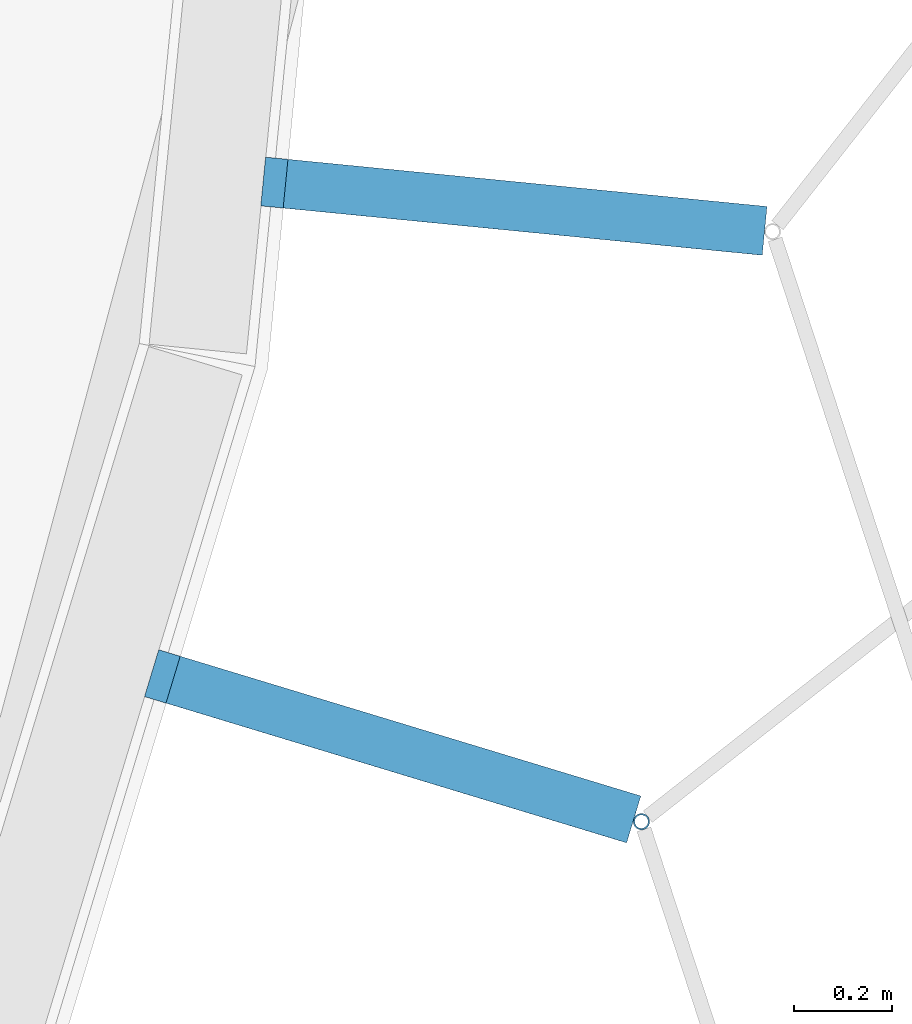
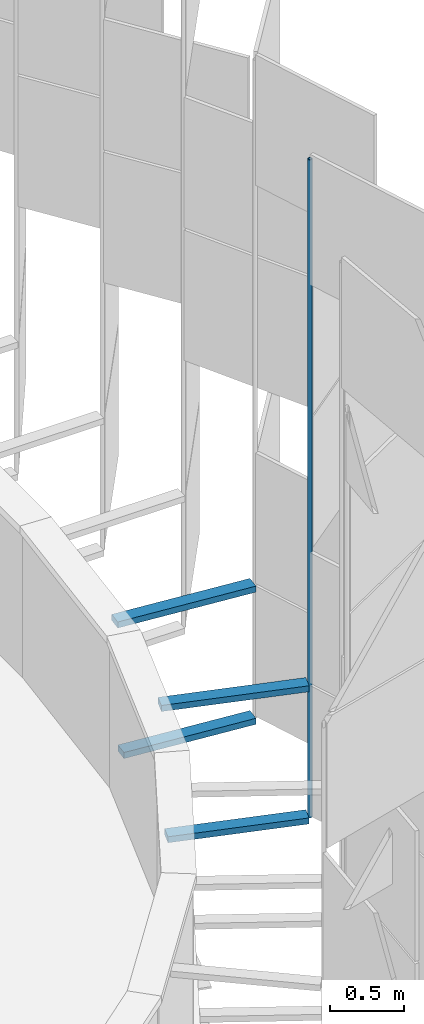
# One storey, part 175 of 483: 5 discrete accessories.
"""IFC4 building model written with IfcOpenShell, lengths in metres."""

from ifc_helpers import new_model, si_unit, direction, frame, origin, origin_2d, place, context, subcontext, project, spatial, rectangle, hollow_circle, extrude, material, material_profile, profile_set, type_object, element, save


model = new_model("IFC4")

# Units and contexts
model_context = context("Model", 3, precision=1e-05, world=origin(), true_north=direction((0.0, 1.0)))
body_context = subcontext(model_context, "Body", "Model", "MODEL_VIEW")
ifc_project = project(units=[si_unit("LENGTHUNIT", "METRE"), si_unit("AREAUNIT", "SQUARE_METRE"), si_unit("VOLUMEUNIT", "CUBIC_METRE"), si_unit("PLANEANGLEUNIT", "RADIAN"), si_unit("MASSUNIT", "GRAM", prefix="KILO")], contexts=[model_context])

# Site, building, storey
site_placement = place(None, origin())
site = spatial("IfcSite", under=ifc_project, at=site_placement, CompositionType="ELEMENT")
building_placement = place(site_placement, origin())
building = spatial("IfcBuilding", under=site, at=building_placement, Name="Parallax Yard Mobility Hub", CompositionType="ELEMENT")
storey_placement = place(building_placement, frame((0.0, 0.0, 13.199951171875)))
storey = spatial("IfcBuildingStorey", under=building, at=storey_placement, Name="L04", CompositionType="ELEMENT", Elevation=13.199951171875)

# Discrete accessories
ifc_material_1 = material(Name="Steel ASTM A36, hot-dip galvanised", Category="steel")
discrete_accessory_type_1 = type_object("IfcDiscreteAccessoryType", Name="Hinge bracket plate 100x50", PredefinedType="BRACKET", material=ifc_material_1)
discrete_accessory_1_placement = place(storey_placement, frame((225.1337890625, 27.759765625, -0.02490234375), z_axis=(0.0, 0.0, 1.0), x_axis=(0.956940335732, -0.290284677254, 0.0)))
element("IfcDiscreteAccessory", 1, at=discrete_accessory_1_placement, inside=storey, type_object=discrete_accessory_type_1, Name="Hinge bracket plate bay 32.10 level L04", PredefinedType="BRACKET", context=body_context, shape_type="SweptSolid", body=[
    extrude(rectangle(XDim=0.984130859375, YDim=0.10009765625, at=origin_2d()), origin(), (0.0, 0.0, 1.0), 0.050048828125),
])
discrete_accessory_2_placement = place(storey_placement, frame((225.11181640625, 27.766357421875, 1.06982421875), z_axis=(0.0, 0.0, 1.0), x_axis=(0.956940335732, -0.290284677254, 0.0)))
element("IfcDiscreteAccessory", 2, at=discrete_accessory_2_placement, inside=storey, type_object=discrete_accessory_type_1, Name="Hinge bracket plate bay 32.10 level L04", PredefinedType="BRACKET", context=body_context, shape_type="SweptSolid", body=[
    extrude(rectangle(XDim=1.030029296875, YDim=0.10009765625, at=origin_2d()), origin(), (0.0, 0.0, 1.0), 0.050048828125),
])
discrete_accessory_3_placement = place(storey_placement, frame((225.382568359375, 28.868408203125, -0.02490234375), z_axis=(0.0, 0.0, 1.0), x_axis=(0.995184726672, -0.09801714033, 0.0)))
element("IfcDiscreteAccessory", 3, at=discrete_accessory_3_placement, inside=storey, type_object=discrete_accessory_type_1, Name="Hinge bracket plate bay 32.11 level L04", PredefinedType="BRACKET", context=body_context, shape_type="SweptSolid", body=[
    extrude(rectangle(XDim=0.984130859375, YDim=0.10009765625, at=origin_2d()), origin(), (0.0, 0.0, 1.0), 0.050048828125),
])
discrete_accessory_4_placement = place(storey_placement, frame((225.359619140625, 28.87060546875, 1.06982421875), z_axis=(0.0, 0.0, 1.0), x_axis=(0.995184726672, -0.09801714033, 0.0)))
element("IfcDiscreteAccessory", 4, at=discrete_accessory_4_placement, inside=storey, type_object=discrete_accessory_type_1, Name="Hinge bracket plate bay 32.11 level L04", PredefinedType="BRACKET", context=body_context, shape_type="SweptSolid", body=[
    extrude(rectangle(XDim=1.030029296875, YDim=0.10009765625, at=origin_2d()), origin(), (0.0, 0.0, 1.0), 0.050048828125),
])
ifc_material_2 = material(Name="Steel ASTM A500 Gr C, hot-dip galvanised", Category="steel")
ifc_material_profile = material_profile(ifc_material_2, hollow_circle(Radius=0.016845703125, WallThickness=0.003173828125, at=origin_2d()), Name="CHS 33.7x3.2")
ifc_profile_set = profile_set([ifc_material_profile], Name="Steel ASTM A500 Gr C, hot-dip galvanised")
discrete_accessory_type_2 = type_object("IfcDiscreteAccessoryType", Name="Hinge post CHS 33.7x3.2", PredefinedType="BRACKET", material=ifc_profile_set)
discrete_accessory_5_placement = place(storey_placement, frame((225.620361328125, 27.6123046875, 0.0), z_axis=(0.0, 0.0, 1.0), x_axis=(1.0, 0.0, 0.0)))
element("IfcDiscreteAccessory", 5, at=discrete_accessory_5_placement, inside=storey, type_object=discrete_accessory_type_2, Name="Hinge post bay 32.10 level L04", PredefinedType="BRACKET", context=body_context, shape_type="SweptSolid", body=[
    extrude(hollow_circle(Radius=0.016845703125, WallThickness=0.003173828125, at=origin_2d()), origin(), (0.0, 0.0, 1.0), 5.449951171875),
])

save(model, "model.ifc")
